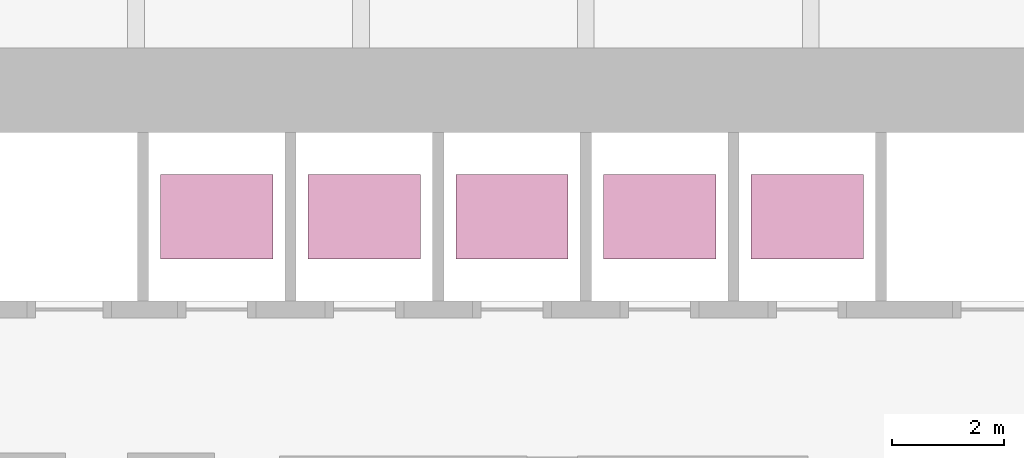
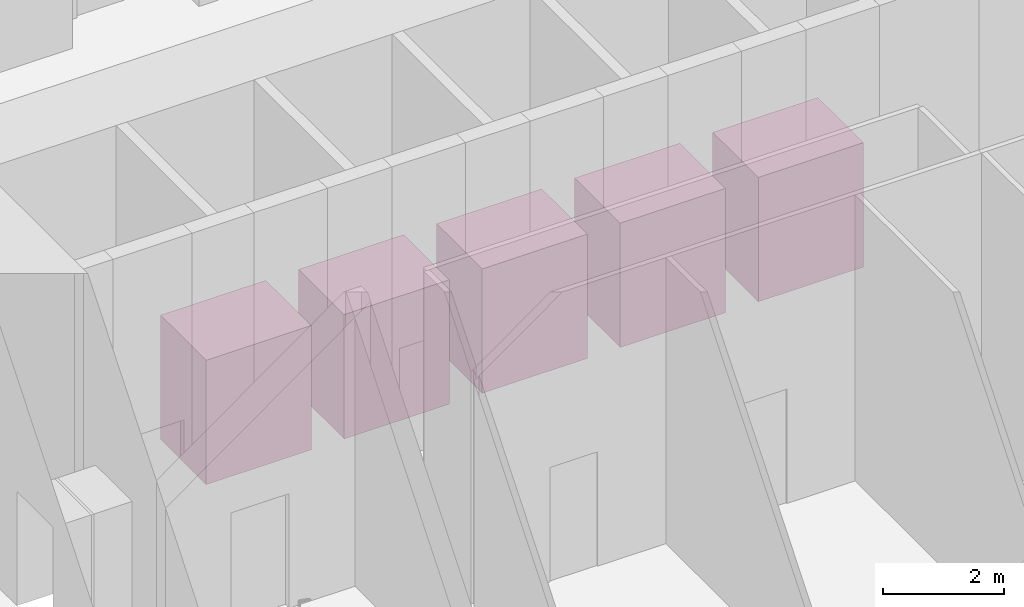
# One storey, part 20 of 20: 5 transport elements.
"""IFC4 building model written with IfcOpenShell, lengths in metres."""

from ifc_helpers import new_model, si_unit, direction, frame, origin, origin_with_axes, origin_2d, place, context, subcontext, project, spatial, rectangle, extrude, material, type_object, element, save


model = new_model("IFC4")

# Units and contexts
model_context = context("Model", 3, precision=1e-05, world=origin(), true_north=direction((0.0, 1.0)))
body_context = subcontext(model_context, "Body", "Model", "MODEL_VIEW")
ifc_project = project(units=[si_unit("LENGTHUNIT", "METRE"), si_unit("AREAUNIT", "SQUARE_METRE"), si_unit("VOLUMEUNIT", "CUBIC_METRE"), si_unit("PLANEANGLEUNIT", "RADIAN"), si_unit("MASSUNIT", "GRAM", prefix="KILO")], contexts=[model_context])

# Site, building, storey
site_placement = place(None, origin())
site = spatial("IfcSite", under=ifc_project, at=site_placement, CompositionType="ELEMENT")
building_placement = place(site_placement, origin())
building = spatial("IfcBuilding", under=site, at=building_placement, Name="Peilmerk Tower", CompositionType="ELEMENT")
storey_placement = place(building_placement, origin())
storey = spatial("IfcBuildingStorey", under=building, at=storey_placement, Name="L00", CompositionType="ELEMENT", Elevation=0.0)

# Transport elements
ifc_material = material(Name="Steel lift car, stainless steel lining", Category="steel")
transport_element_type_1 = type_object("IfcTransportElementType", Name="LDA 1600 kg passenger lift, low rise, car 2000x1500", PredefinedType="ELEVATOR", material=ifc_material)
for number, where, z_axis, x_axis, name in (
    (1, (-6.5625, 9.0, 0.0), (0.0, 0.0, 1.0), (1.0, 0.0, 0.0), "Lift A1"),
    (2, (-3.9375, 9.0, 0.0), (0.0, 0.0, 1.0), (1.0, 0.0, 0.0), "Lift A2"),
    (3, (-1.3125, 9.0, 0.0), (0.0, 0.0, 1.0), (1.0, 0.0, 0.0), "Lift A3"),
):
    element("IfcTransportElement", number, at=place(storey_placement, frame(where, z_axis=z_axis, x_axis=x_axis)), inside=storey, type_object=transport_element_type_1, Name=name, PredefinedType="ELEVATOR", context=body_context, shape_type="SweptSolid", body=[
        extrude(rectangle(XDim=2.0, YDim=1.5, at=origin_2d()), origin_with_axes(), (0.0, 0.0, 1.0), 2.5),
    ])
transport_element_type_2 = type_object("IfcTransportElementType", Name="LDS 1600 kg shuttle lift, car 2000x1500", PredefinedType="ELEVATOR", material=ifc_material)
for number, where, z_axis, x_axis, name in (
    (4, (1.3125, 9.0, 0.0), (0.0, 0.0, 1.0), (1.0, 0.0, 0.0), "Lift S1"),
    (5, (3.9375, 9.0, 0.0), (0.0, 0.0, 1.0), (1.0, 0.0, 0.0), "Lift S2"),
):
    element("IfcTransportElement", number, at=place(storey_placement, frame(where, z_axis=z_axis, x_axis=x_axis)), inside=storey, type_object=transport_element_type_2, Name=name, PredefinedType="ELEVATOR", context=body_context, shape_type="SweptSolid", body=[
        extrude(rectangle(XDim=2.0, YDim=1.5, at=origin_2d()), origin_with_axes(), (0.0, 0.0, 1.0), 2.5),
    ])

save(model, "model.ifc")
